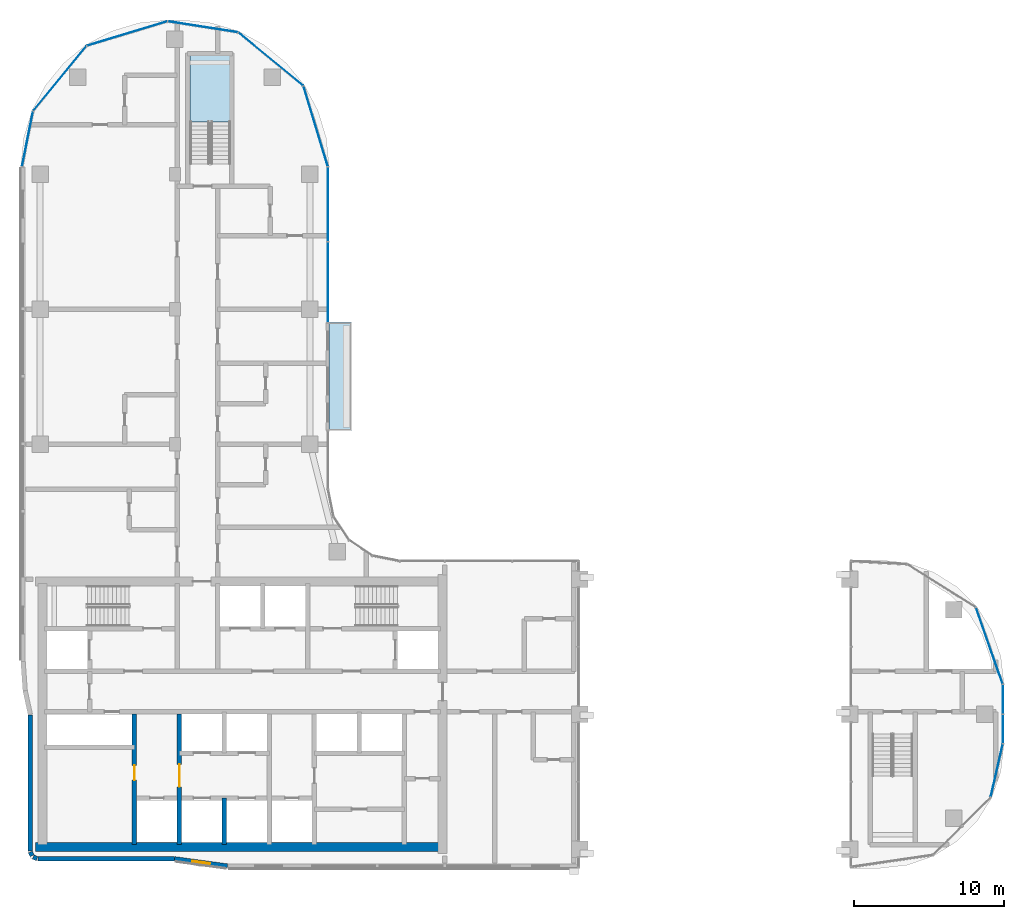
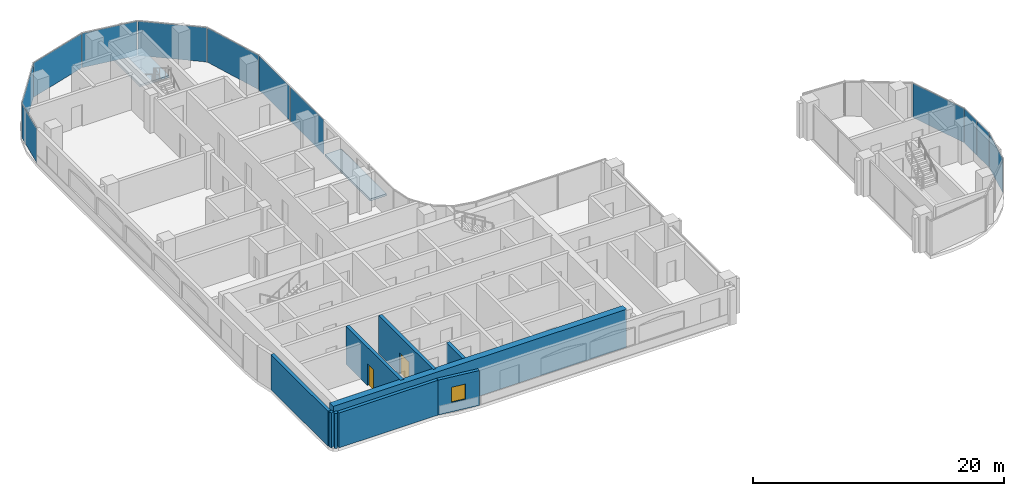
# One storey, part 9 of 23: 12 plates, 9 walls, 2 doors, 2 slabs, 1 window, 3 openings, 6 elements without a shape of their own.
"""IFC4 building model written with IfcOpenShell, lengths in metres."""

from ifc_helpers import new_model, si_unit, direction, frame, frame_2d, origin, origin_2d, place, context, subcontext, project, spatial, polyline, rectangle, outline, extrude, material, layer, layer_set, type_object, element, fill, aggregate, save


model = new_model("IFC4")

# Units and contexts
model_context = context("Model", 3, precision=1e-05, world=origin(), true_north=direction((0.0, 1.0)))
body_context = subcontext(model_context, "Body", "Model", "MODEL_VIEW")
ifc_project = project(units=[si_unit("LENGTHUNIT", "METRE"), si_unit("AREAUNIT", "SQUARE_METRE"), si_unit("VOLUMEUNIT", "CUBIC_METRE"), si_unit("PLANEANGLEUNIT", "RADIAN"), si_unit("MASSUNIT", "GRAM", prefix="KILO")], contexts=[model_context])

# Site, building, storey
site_placement = place(None, origin())
site = spatial("IfcSite", under=ifc_project, at=site_placement, CompositionType="ELEMENT")
building_placement = place(site_placement, origin())
building = spatial("IfcBuilding", under=site, at=building_placement, Name="Ogive Portal Towers", CompositionType="ELEMENT")
storey_placement = place(building_placement, frame((0.0, 0.0, 164.39990234375)))
storey = spatial("IfcBuildingStorey", under=building, at=storey_placement, Name="L40", CompositionType="ELEMENT", Elevation=164.39990234375)

# Slab
ifc_material_1 = material(Name="Concrete C40/50", Category="concrete")
ifc_layer_1 = layer(ifc_material_1, 0.199951171875)
ifc_layer_set_1 = layer_set([ifc_layer_1], Name="BALCONY SLAB 200")
slab_type_1 = type_object("IfcSlabType", Name="BALCONY SLAB 200", PredefinedType="FLOOR", material=ifc_layer_set_1)
slab_1_placement = place(storey_placement, frame((0.0, 0.0, -0.199951171875)))
element("IfcSlab", 1, at=slab_1_placement, inside=storey, type_object=slab_type_1, Name="Balcony S1", PredefinedType="FLOOR", context=body_context, shape_type="SweptSolid", body=[
    extrude(outline(polyline([(50.784912109375, 49.39990234375), (52.284912109375, 49.39990234375), (52.284912109375, 56.60009765625), (50.784912109375, 56.60009765625), (50.784912109375, 49.39990234375)])), origin(), (0.0, 0.0, 1.0), 0.199951171875),
])

# Curtain wall, plates
ifc_material_2 = material(Name="Glass, clear low-iron insulated glazing", Category="glass")
curtain_wall_type = type_object("IfcCurtainWallType", Name="CW FRONT RIBBON 4500", PredefinedType="NOTDEFINED", material=ifc_material_2)
curtain_wall_1_placement = place(storey_placement, origin())
curtain_wall_1 = element("IfcCurtainWall", 2, at=curtain_wall_1_placement, inside=storey, type_object=curtain_wall_type, Name="A:L40:f12:cw1", PredefinedType="NOTDEFINED")
ifc_layer_2 = layer(ifc_material_2, 0.028076171875)
ifc_layer_set_2 = layer_set([ifc_layer_2], Name="CW PANEL IGU 28")
plate_type = type_object("IfcPlateType", Name="CW PANEL IGU 28", PredefinedType="CURTAIN_PANEL", material=ifc_layer_set_2)
plate_1_placement = place(storey_placement, frame((50.705078125, 59.294921875, 0.0), z_axis=(0.0, 0.0, 1.0), x_axis=(0.0, 1.0, 0.0)))
plate_1 = element("IfcPlate", 3, at=plate_1_placement, type_object=plate_type, Name="panel", PredefinedType="CURTAIN_PANEL", context=body_context, shape_type="SweptSolid", body=[
    extrude(rectangle(XDim=5.349853515625, YDim=0.028076171875, at=origin_2d()), origin(), (0.0, 0.0, 1.0), 3.340087890625),
])
plate_2_placement = place(storey_placement, frame((50.705078125, 64.494140625, 0.0), z_axis=(0.0, 0.0, 1.0), x_axis=(0.0, 1.0, 0.0)))
plate_2 = element("IfcPlate", 4, at=plate_2_placement, type_object=plate_type, Name="panel", PredefinedType="CURTAIN_PANEL", context=body_context, shape_type="SweptSolid", body=[
    extrude(rectangle(XDim=4.92822265625, YDim=0.028076171875, at=origin_2d()), origin(), (0.0, 0.0, 1.0), 3.340087890625),
])
aggregate(curtain_wall_1, [plate_1, plate_2])

curtain_wall_2_placement = place(storey_placement, origin())
curtain_wall_2 = element("IfcCurtainWall", 5, at=curtain_wall_2_placement, inside=storey, type_object=curtain_wall_type, Name="A:L40:f26:cw0", PredefinedType="NOTDEFINED")
plate_3_placement = place(storey_placement, frame((95.705078125, 29.50439453125, 0.0), z_axis=(0.0, 0.0, 1.0), x_axis=(0.0, 1.0, 0.0)))
plate_3 = element("IfcPlate", 6, at=plate_3_placement, type_object=plate_type, Name="panel", PredefinedType="CURTAIN_PANEL", context=body_context, shape_type="SweptSolid", body=[
    extrude(rectangle(XDim=1.930908203125, YDim=0.028076171875, at=origin_2d()), origin(), (0.0, 0.0, 1.0), 3.340087890625),
])
plate_4_placement = place(storey_placement, frame((95.705078125, 31.4931640625, 0.0), z_axis=(0.0, 0.0, 1.0), x_axis=(0.0, 1.0, 0.0)))
plate_4 = element("IfcPlate", 7, at=plate_4_placement, type_object=plate_type, Name="panel", PredefinedType="CURTAIN_PANEL", context=body_context, shape_type="SweptSolid", body=[
    extrude(rectangle(XDim=1.926513671875, YDim=0.028076171875, at=origin_2d()), origin(), (0.0, 0.0, 1.0), 3.340087890625),
])
aggregate(curtain_wall_2, [plate_3, plate_4])

curtain_wall_3_placement = place(storey_placement, origin())
curtain_wall_3 = element("IfcCurtainWall", 8, at=curtain_wall_3_placement, inside=storey, type_object=curtain_wall_type, Name="A:L40:f13:cwa", PredefinedType="NOTDEFINED")
plate_5_placement = place(storey_placement, frame((49.8857421875, 69.68896484375, 0.0), z_axis=(0.0, 0.0, 1.0), x_axis=(-0.290284677254, 0.956940335732, 0.0)))
plate_5 = element("IfcPlate", 9, at=plate_5_placement, type_object=plate_type, Name="panel", PredefinedType="CURTAIN_PANEL", context=body_context, shape_type="SweptSolid", body=[
    extrude(rectangle(XDim=5.584716796875, YDim=0.028076171875, at=origin_2d()), origin(), (0.0, 0.0, 1.0), 3.340087890625),
])
plate_6_placement = place(storey_placement, frame((46.888427734375, 74.17724609375, 0.0), z_axis=(0.0, 0.0, 1.0), x_axis=(-0.773010453363, 0.634393284164, 0.0)))
plate_6 = element("IfcPlate", 10, at=plate_6_placement, type_object=plate_type, Name="panel", PredefinedType="CURTAIN_PANEL", context=body_context, shape_type="SweptSolid", body=[
    extrude(rectangle(XDim=5.57470703125, YDim=0.028076171875, at=origin_2d()), origin(), (0.0, 0.0, 1.0), 3.340087890625),
])
plate_7_placement = place(storey_placement, frame((42.358154296875, 76.333740234375, 0.0), z_axis=(0.0, 0.0, 1.0), x_axis=(-0.987900568675, 0.15508857602, 0.0)))
plate_7 = element("IfcPlate", 11, at=plate_7_placement, type_object=plate_type, Name="panel", PredefinedType="CURTAIN_PANEL", context=body_context, shape_type="SweptSolid", body=[
    extrude(rectangle(XDim=4.70263671875, YDim=0.028076171875, at=origin_2d()), origin(), (0.0, 0.0, 1.0), 3.340087890625),
])
plate_8_placement = place(storey_placement, frame((37.307861328125, 75.884765625, 0.0), z_axis=(0.0, 0.0, 1.0), x_axis=(-0.956940335732, -0.290284677254, 0.0)))
plate_8 = element("IfcPlate", 12, at=plate_8_placement, type_object=plate_type, Name="panel", PredefinedType="CURTAIN_PANEL", context=body_context, shape_type="SweptSolid", body=[
    extrude(rectangle(XDim=5.578369140625, YDim=0.028076171875, at=origin_2d()), origin(), (0.0, 0.0, 1.0), 3.340087890625),
])
plate_9_placement = place(storey_placement, frame((32.822265625, 72.887939453125, 0.0), z_axis=(0.0, 0.0, 1.0), x_axis=(-0.634393284164, -0.773010453363, 0.0)))
plate_9 = element("IfcPlate", 13, at=plate_9_placement, type_object=plate_type, Name="panel", PredefinedType="CURTAIN_PANEL", context=body_context, shape_type="SweptSolid", body=[
    extrude(rectangle(XDim=5.57666015625, YDim=0.028076171875, at=origin_2d()), origin(), (0.0, 0.0, 1.0), 3.340087890625),
])
plate_10_placement = place(storey_placement, frame((30.664794921875, 68.850830078125, 0.0), z_axis=(0.0, 0.0, 1.0), x_axis=(-0.195090322016, -0.980785280403, 0.0)))
plate_10 = element("IfcPlate", 14, at=plate_10_placement, type_object=plate_type, Name="panel", PredefinedType="CURTAIN_PANEL", context=body_context, shape_type="SweptSolid", body=[
    extrude(rectangle(XDim=3.72998046875, YDim=0.028076171875, at=origin_2d()), origin(), (0.0, 0.0, 1.0), 3.340087890625),
])
aggregate(curtain_wall_3, [plate_5, plate_6, plate_7, plate_8, plate_9, plate_10])

# Curtain wall, plate
curtain_wall_4_placement = place(storey_placement, origin())
curtain_wall_4 = element("IfcCurtainWall", 15, at=curtain_wall_4_placement, inside=storey, type_object=curtain_wall_type, Name="A:L40:f23:cwa~1", PredefinedType="NOTDEFINED")
plate_11_placement = place(storey_placement, frame((95.29833984375, 26.727294921875, 0.0), z_axis=(0.0, 0.0, 1.0), x_axis=(0.222520933954, 0.974927912182, 0.0)))
plate_11 = element("IfcPlate", 16, at=plate_11_placement, type_object=plate_type, Name="panel", PredefinedType="CURTAIN_PANEL", context=body_context, shape_type="SweptSolid", body=[
    extrude(rectangle(XDim=3.59521484375, YDim=0.028076171875, at=origin_2d()), origin(), (0.0, 0.0, 1.0), 3.340087890625),
])
aggregate(curtain_wall_4, [plate_11])

curtain_wall_5_placement = place(storey_placement, origin())
curtain_wall_5 = element("IfcCurtainWall", 17, at=curtain_wall_5_placement, inside=storey, type_object=curtain_wall_type, Name="A:L40:f27:cwa", PredefinedType="NOTDEFINED")
plate_12_placement = place(storey_placement, frame((94.80810546875, 35.049560546875, 0.0), z_axis=(0.0, 0.0, 1.0), x_axis=(-0.33027906196, 0.943883330307, 0.0)))
plate_12 = element("IfcPlate", 18, at=plate_12_placement, type_object=plate_type, Name="panel", PredefinedType="CURTAIN_PANEL", context=body_context, shape_type="SweptSolid", body=[
    extrude(rectangle(XDim=5.37109375, YDim=0.028076171875, at=origin_2d()), origin(), (0.0, 0.0, 1.0), 3.340087890625),
])
aggregate(curtain_wall_5, [plate_12])

# Stair, slab
stair_type = type_object("IfcStairType", Name="INT-STAIR", PredefinedType="HALF_TURN_STAIR", material=ifc_material_1)
stair_placement = place(storey_placement, origin())
stair = element("IfcStair", 19, at=stair_placement, inside=storey, type_object=stair_type, Name="L40 Exit Stair ST-A3", PredefinedType="HALF_TURN_STAIR")
ifc_layer_3 = layer(ifc_material_1, 0.199951171875)
ifc_layer_set_3 = layer_set([ifc_layer_3], Name="INT-LANDING")
slab_type_2 = type_object("IfcSlabType", Name="INT-LANDING", PredefinedType="LANDING", material=ifc_layer_set_3)
slab_2_placement = place(storey_placement, frame((0.0, 0.0, 1.650146484375)))
slab_2 = element("IfcSlab", 20, at=slab_2_placement, type_object=slab_type_2, Name="ST-A3 landing 1", PredefinedType="LANDING", context=body_context, shape_type="SweptSolid", body=[
    extrude(outline(polyline([(44.199951171875, 70.0), (44.199951171875, 74.449951171875), (41.5, 74.449951171875), (41.5, 70.0), (44.199951171875, 70.0)])), origin(), (0.0, 0.0, 1.0), 0.199951171875),
])
aggregate(stair, [slab_2])

# Wall, opening, door
ifc_material_3 = material(Name="Concrete C60/75", Category="concrete")
ifc_layer_4 = layer(ifc_material_3, 0.300048828125)
ifc_layer_set_4 = layer_set([ifc_layer_4], Name="CORE WALL 300 C60")
wall_type_1 = type_object("IfcWallType", Name="CORE WALL 300 C60", PredefinedType="SHEAR", material=ifc_layer_set_4)
wall_1_placement = place(storey_placement, frame((37.800048828125, 21.800048828125, 0.0), z_axis=(0.0, 0.0, 1.0), x_axis=(0.0, 1.0, 0.0)))
wall_1 = element("IfcWall", 21, at=wall_1_placement, inside=storey, type_object=wall_type_1, Name="Core wall X1 L40", PredefinedType="SHEAR", context=body_context, shape_type="SweptSolid", body=[
    extrude(rectangle(XDim=8.699951171875, YDim=0.300048828125, at=frame_2d((4.35009765625, 0.0))), origin(), (0.0, 0.0, 1.0), 3.7001953125),
])
opening_1_placement = place(wall_1_placement, frame((4.2880859375, 0.0, 0.0)))
opening_1 = element("IfcOpeningElement", 22, at=opening_1_placement, cuts=wall_1, Name="Opening D16-022", PredefinedType="OPENING", context=body_context, shape_type="SweptSolid", body=[
    extrude(rectangle(XDim=1.0, YDim=2.10009765625, at=frame_2d((0.5, 1.050048828125))), frame((0.0, 0.16015625, 0.0), z_axis=(0.0, -1.0, 0.0), x_axis=(1.0, 0.0, 0.0)), (0.0, 0.0, 1.0), 0.320068359375),
])
ifc_material_4 = material(Name="Steel fire door", Category="steel")
door_type_1 = type_object("IfcDoorType", Name="DT-SWING-1000x2100-FD90S", OperationType="SINGLE_SWING_LEFT", PredefinedType="DOOR", material=ifc_material_4)
door_1_placement = place(opening_1_placement, origin())
door_1 = element("IfcDoor", 23, at=door_1_placement, inside=storey, type_object=door_type_1, Name="Door D16-022", OperationType="SINGLE_SWING_RIGHT", OverallHeight=2.10009765625, OverallWidth=1.0, PredefinedType="DOOR", context=body_context, shape_type="SweptSolid", body=[
    extrude(rectangle(XDim=1.0, YDim=2.10009765625, at=frame_2d((0.5, 1.050048828125))), frame((0.0, 0.02490234375, 0.0), z_axis=(0.0, -1.0, 0.0), x_axis=(1.0, 0.0, 0.0)), (0.0, 0.0, 1.0), 0.050048828125),
])
fill(opening_1, door_1)

wall_2_placement = place(storey_placement, frame((40.800048828125, 21.800048828125, 0.0), z_axis=(0.0, 0.0, 1.0), x_axis=(0.0, 1.0, 0.0)))
wall_2 = element("IfcWall", 24, at=wall_2_placement, inside=storey, type_object=wall_type_1, Name="Core wall X2 L40", PredefinedType="SHEAR", context=body_context, shape_type="SweptSolid", body=[
    extrude(rectangle(XDim=8.699951171875, YDim=0.300048828125, at=frame_2d((4.35009765625, 0.0))), origin(), (0.0, 0.0, 1.0), 3.7001953125),
])
opening_2_placement = place(wall_2_placement, frame((3.85009765625, 0.0, 0.0)))
opening_2 = element("IfcOpeningElement", 25, at=opening_2_placement, cuts=wall_2, Name="Opening D16-001", PredefinedType="OPENING", context=body_context, shape_type="SweptSolid", body=[
    extrude(rectangle(XDim=1.5, YDim=2.10009765625, at=frame_2d((0.75, 1.050048828125))), frame((0.0, 0.16015625, 0.0), z_axis=(0.0, -1.0, 0.0), x_axis=(1.0, 0.0, 0.0)), (0.0, 0.0, 1.0), 0.320068359375),
])
door_type_2 = type_object("IfcDoorType", Name="DT-SWING-1500x2100-FD90S", OperationType="SINGLE_SWING_LEFT", PredefinedType="DOOR", material=ifc_material_4)
door_2_placement = place(opening_2_placement, origin())
door_2 = element("IfcDoor", 26, at=door_2_placement, inside=storey, type_object=door_type_2, Name="Door D16-001", OperationType="SINGLE_SWING_RIGHT", OverallHeight=2.10009765625, OverallWidth=1.5, PredefinedType="DOOR", context=body_context, shape_type="SweptSolid", body=[
    extrude(rectangle(XDim=1.5, YDim=2.10009765625, at=frame_2d((0.75, 1.050048828125))), frame((0.0, 0.02490234375, 0.0), z_axis=(0.0, -1.0, 0.0), x_axis=(1.0, 0.0, 0.0)), (0.0, 0.0, 1.0), 0.050048828125),
])
fill(opening_2, door_2)

# Walls
ifc_layer_5 = layer(ifc_material_3, 0.60009765625)
ifc_layer_set_5 = layer_set([ifc_layer_5], Name="CORE WALL 600 C60")
wall_type_2 = type_object("IfcWallType", Name="CORE WALL 600 C60", PredefinedType="SHEAR", material=ifc_layer_set_5)
wall_3_placement = place(storey_placement, frame((31.199951171875, 21.64990234375, 0.0), z_axis=(0.0, 0.0, 1.0), x_axis=(1.0, 0.0, 0.0)))
element("IfcWall", 27, at=wall_3_placement, inside=storey, type_object=wall_type_2, Name="Core wall S L40", PredefinedType="SHEAR", context=body_context, shape_type="SweptSolid", body=[
    extrude(rectangle(XDim=27.0, YDim=0.60009765625, at=frame_2d((13.5, 0.0))), origin(), (0.0, 0.0, 1.0), 3.7001953125),
])
ifc_material_5 = material(Name="Limestone cladding on lightweight block wall", Category="masonry")
ifc_layer_6 = layer(ifc_material_5, 0.300048828125)
ifc_layer_set_6 = layer_set([ifc_layer_6], Name="EXTERNAL WALL 300 STONE")
wall_type_3 = type_object("IfcWallType", Name="EXTERNAL WALL 300 STONE", PredefinedType="SOLIDWALL", material=ifc_layer_set_6)
wall_4_placement = place(storey_placement, frame((30.85009765625, 30.45361328125, 0.0), z_axis=(0.0, 0.0, 1.0), x_axis=(0.0, -1.0, 0.0)))
element("IfcWall", 28, at=wall_4_placement, inside=storey, type_object=wall_type_3, Name="A:L40:f00:r0:wall", PredefinedType="SOLIDWALL", context=body_context, shape_type="SweptSolid", body=[
    extrude(rectangle(XDim=9.093994140625, YDim=0.300048828125, at=frame_2d((4.546875, 0.0))), origin(), (0.0, 0.0, 1.0), 3.400146484375),
])
for number, where, z_axis, x_axis, name in (
    (29, (30.861328125, 21.30224609375, 0.0), (0.0, 0.0, 1.0), (0.38297812142, -0.923757413239, 0.0), "A:L40:f01:r0:wall"),
    (30, (31.0478515625, 20.966796875, 0.0), (0.0, 0.0, 1.0), (0.923757413239, -0.38297812142, 0.0), "A:L40:f02:r0:wall"),
):
    element("IfcWall", number, at=place(storey_placement, frame(where, z_axis=z_axis, x_axis=x_axis)), inside=storey, type_object=wall_type_3, Name=name, PredefinedType="SOLIDWALL", context=body_context, shape_type="SweptSolid", body=[
        extrude(rectangle(XDim=0.275390625, YDim=0.300048828125, at=frame_2d((0.1376953125, 0.0))), origin(), (0.0, 0.0, 1.0), 3.400146484375),
    ])
wall_5_placement = place(storey_placement, frame((31.359619140625, 20.85009765625, 0.0), z_axis=(0.0, 0.0, 1.0), x_axis=(1.0, 0.0, 0.0)))
element("IfcWall", 31, at=wall_5_placement, inside=storey, type_object=wall_type_3, Name="A:L40:f03:r0:wall", PredefinedType="SOLIDWALL", context=body_context, shape_type="SweptSolid", body=[
    extrude(rectangle(XDim=9.093994140625, YDim=0.300048828125, at=frame_2d((4.546875, 0.0))), origin(), (0.0, 0.0, 1.0), 3.400146484375),
])

# Wall, opening, window
wall_6_placement = place(storey_placement, frame((40.47412109375, 20.8486328125, 0.0), z_axis=(0.0, 0.0, 1.0), x_axis=(0.990778329255, -0.135492812649, 0.0)))
wall_6 = element("IfcWall", 32, at=wall_6_placement, inside=storey, type_object=wall_type_3, Name="A:L40:f04:r0:wall", PredefinedType="SOLIDWALL", context=body_context, shape_type="SweptSolid", body=[
    extrude(rectangle(XDim=3.55859375, YDim=0.300048828125, at=frame_2d((1.779296875, 0.0))), origin(), (0.0, 0.0, 1.0), 3.400146484375),
])
opening_3_placement = place(wall_6_placement, frame((1.179443359375, 0.0, 0.89990234375)))
opening_3 = element("IfcOpeningElement", 33, at=opening_3_placement, cuts=wall_6, Name="Opening WN9", PredefinedType="OPENING", context=body_context, shape_type="SweptSolid", body=[
    extrude(rectangle(XDim=1.199951171875, YDim=1.5, at=frame_2d((0.60009765625, 0.75))), frame((0.0, 0.16015625, 0.0), z_axis=(0.0, -1.0, 0.0), x_axis=(1.0, 0.0, 0.0)), (0.0, 0.0, 1.0), 0.320068359375),
])
window_type = type_object("IfcWindowType", Name="WINDOW HOTEL CASEMENT 1200x1500", PartitioningType="DOUBLE_PANEL_VERTICAL", PredefinedType="WINDOW", material=ifc_material_2)
window_placement = place(opening_3_placement, origin())
window = element("IfcWindow", 34, at=window_placement, inside=storey, type_object=window_type, Name="A:L40:f04:r0:w0", OverallHeight=1.5, OverallWidth=1.199951171875, PartitioningType="SINGLE_PANEL", PredefinedType="WINDOW", context=body_context, shape_type="SweptSolid", body=[
    extrude(rectangle(XDim=1.199951171875, YDim=1.5, at=frame_2d((0.60009765625, 0.75))), frame((0.0, 0.030029296875, 0.0), z_axis=(0.0, -1.0, 0.0), x_axis=(1.0, 0.0, 0.0)), (0.0, 0.0, 1.0), 0.06005859375),
])
fill(opening_3, window)

# Wall
ifc_layer_7 = layer(ifc_material_1, 0.300048828125)
ifc_layer_set_7 = layer_set([ifc_layer_7], Name="WT-SHAFT-300")
wall_type_4 = type_object("IfcWallType", Name="WT-SHAFT-300", PredefinedType="SOLIDWALL", material=ifc_layer_set_7)
wall_7_placement = place(storey_placement, frame((43.800048828125, 21.800048828125, 0.0), z_axis=(0.0, 0.0, 1.0), x_axis=(0.0, 1.0, 0.0)))
element("IfcWall", 35, at=wall_7_placement, inside=storey, type_object=wall_type_4, Name="Wall pw:008:L40", PredefinedType="SOLIDWALL", context=body_context, shape_type="SweptSolid", body=[
    extrude(rectangle(XDim=3.099853515625, YDim=0.300048828125, at=frame_2d((1.5498046875, 0.0))), origin(), (0.0, 0.0, 1.0), 3.400146484375),
])

save(model, "model.ifc")
